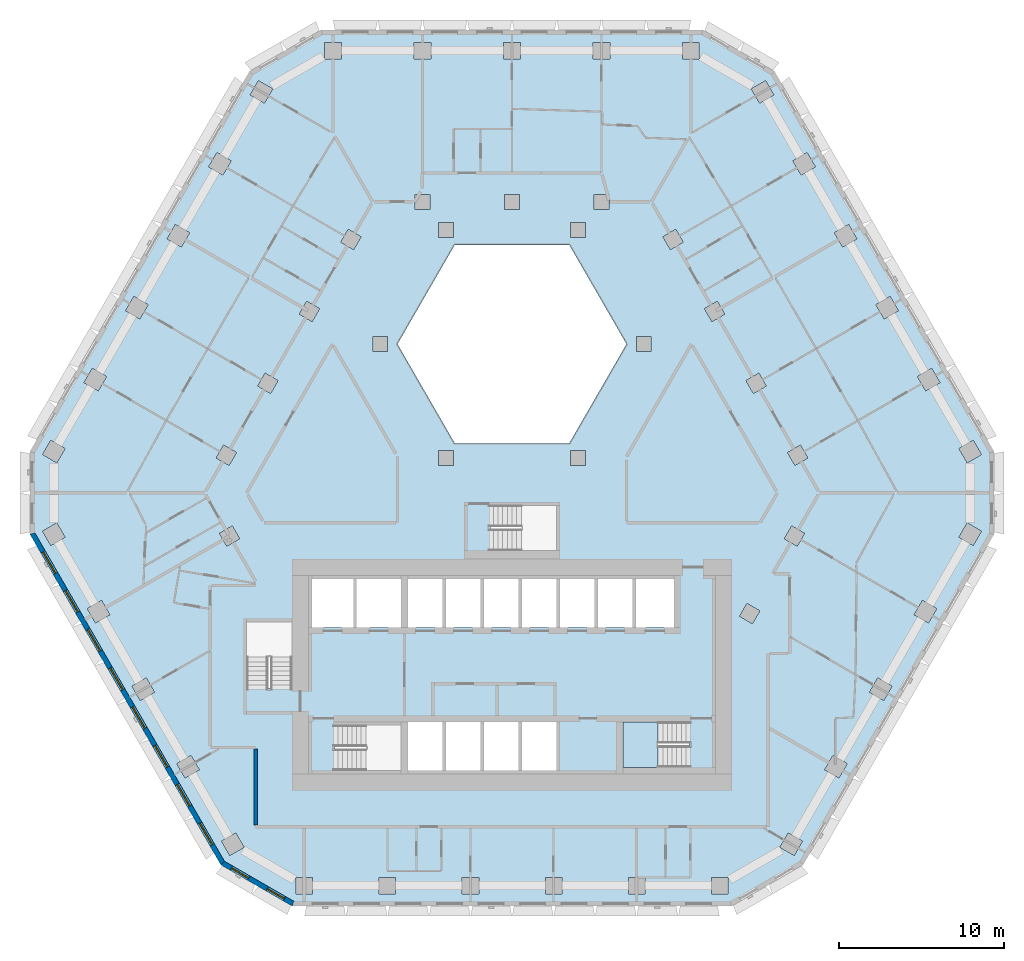
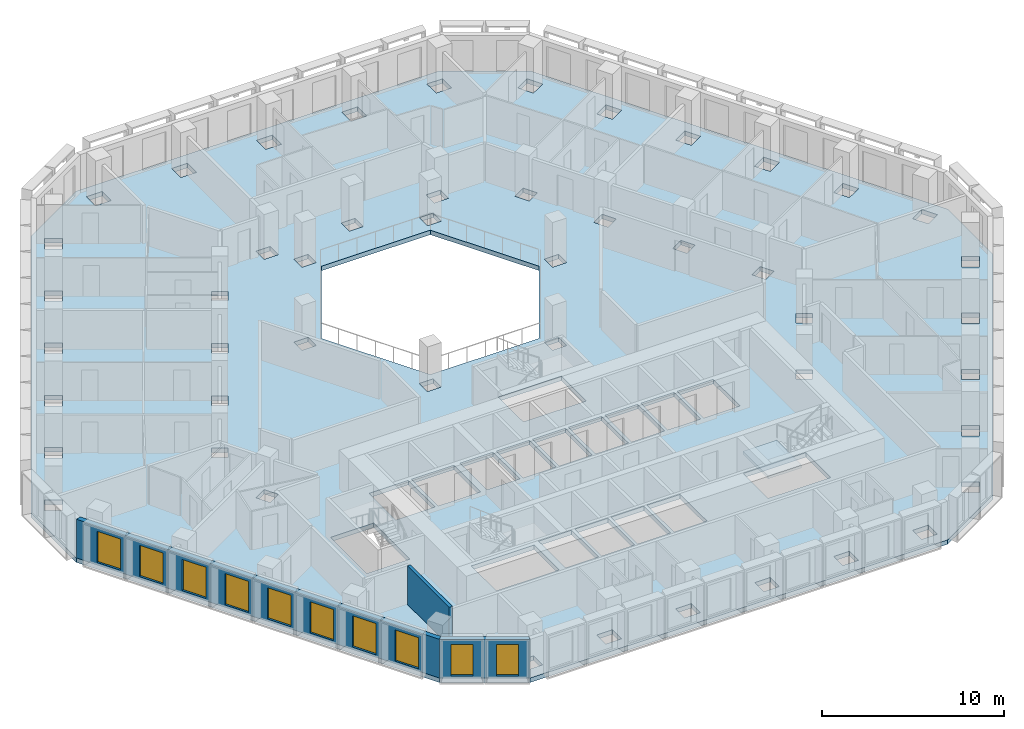
# One storey, part 2 of 18: 10 windows, 3 walls, 2 slabs, 10 openings, 1 element without a shape of its own.
"""IFC4 building model written with IfcOpenShell, lengths in metres."""

from ifc_helpers import new_model, si_unit, direction, frame, frame_2d, origin, place, context, subcontext, project, spatial, polyline, rectangle, outline, extrude, material, layer, layer_set, type_object, element, fill, aggregate, save


model = new_model("IFC4")

# Units and contexts
model_context = context("Model", 3, precision=1e-05, world=origin(), true_north=direction((0.0, 1.0)))
body_context = subcontext(model_context, "Body", "Model", "MODEL_VIEW")
ifc_project = project(units=[si_unit("LENGTHUNIT", "METRE"), si_unit("AREAUNIT", "SQUARE_METRE"), si_unit("VOLUMEUNIT", "CUBIC_METRE"), si_unit("PLANEANGLEUNIT", "RADIAN"), si_unit("MASSUNIT", "GRAM", prefix="KILO")], contexts=[model_context])

# Site, building, storey
site_placement = place(None, origin())
site = spatial("IfcSite", under=ifc_project, at=site_placement, CompositionType="ELEMENT")
building_placement = place(site_placement, origin())
building = spatial("IfcBuilding", under=site, at=building_placement, Name="Beryl Residences", CompositionType="ELEMENT")
storey_placement = place(building_placement, frame((0.0, 0.0, 105.0)))
storey = spatial("IfcBuildingStorey", under=building, at=storey_placement, Name="L32", CompositionType="ELEMENT", Elevation=105.0)

# Slab
ifc_material_1 = material(Name="Concrete C40/50", Category="concrete")
ifc_layer_1 = layer(ifc_material_1, 0.300048828125)
ifc_layer_set_1 = layer_set([ifc_layer_1], Name="SL7 PT floor slab 300 mm C40/50")
slab_type_1 = type_object("IfcSlabType", Name="SL7 PT floor slab 300 mm C40/50", PredefinedType="FLOOR", material=ifc_layer_set_1)
slab_1_placement = place(storey_placement, frame((0.0, 0.0, -0.300048828125)))
element("IfcSlab", 1, at=slab_1_placement, inside=storey, type_object=slab_type_1, Name="L32 slab 1", PredefinedType="FLOOR", context=body_context, shape_type="SweptSolid", body=[
    extrude(outline(polyline([(29.156982421875, -3.5), (17.60888671875, -23.5), (13.279052734375, -26.0), (-13.279052734375, -26.0), (-17.60888671875, -23.5), (-29.156982421875, -3.5), (-29.156982421875, 1.5), (-15.876953125, 24.5), (-11.547119140625, 27.0), (11.547119140625, 27.0), (15.876953125, 24.5), (29.156982421875, 1.5), (29.156982421875, -3.5)]), holes=[polyline([(28.39697265625, 1.31591796875), (27.89697265625, 2.181884765625), (27.031005859375, 1.681884765625), (27.531005859375, 0.81591796875), (28.39697265625, 1.31591796875)]), polyline([(28.39697265625, -3.31591796875), (27.531005859375, -2.81591796875), (27.031005859375, -3.681884765625), (27.89697265625, -4.181884765625), (28.39697265625, -3.31591796875)]), polyline([(25.385009765625, 6.532958984375), (24.51904296875, 6.032958984375), (25.01904296875, 5.1669921875), (25.885009765625, 5.6669921875), (25.385009765625, 6.532958984375)]), polyline([(25.68994140625, -8.00390625), (24.823974609375, -7.50390625), (24.323974609375, -8.3701171875), (25.18994140625, -8.8701171875), (25.68994140625, -8.00390625)]), polyline([(22.873046875, 10.883056640625), (22.007080078125, 10.383056640625), (22.507080078125, 9.51708984375), (23.373046875, 10.01708984375), (22.873046875, 10.883056640625)]), polyline([(22.116943359375, -12.19189453125), (21.616943359375, -13.05810546875), (22.48291015625, -13.55810546875), (22.98291015625, -12.69189453125), (22.116943359375, -12.19189453125)]), polyline([(20.362060546875, 15.23291015625), (19.49609375, 14.73291015625), (19.99609375, 13.866943359375), (20.862060546875, 14.366943359375), (20.362060546875, 15.23291015625)]), polyline([(19.777099609375, -18.24609375), (20.277099609375, -17.3798828125), (19.410888671875, -16.8798828125), (18.910888671875, -17.74609375), (19.777099609375, -18.24609375)]), polyline([(17.85009765625, 19.5830078125), (16.98388671875, 19.0830078125), (17.48388671875, 18.217041015625), (18.35009765625, 18.717041015625), (17.85009765625, 19.5830078125)]), polyline([(17.443115234375, 1.888916015625), (16.6630859375, 1.43896484375), (17.113037109375, 0.658935546875), (17.89306640625, 1.10888671875), (17.443115234375, 1.888916015625)]), polyline([(17.697998046875, -3.447021484375), (16.91796875, -2.9970703125), (16.468017578125, -3.777099609375), (17.248046875, -4.22705078125), (17.697998046875, -3.447021484375)]), polyline([(17.570068359375, -22.068115234375), (16.7041015625, -21.568115234375), (16.2041015625, -22.43408203125), (17.070068359375, -22.93408203125), (17.570068359375, -22.068115234375)]), polyline([(15.839111328125, 23.06689453125), (15.339111328125, 23.93310546875), (14.472900390625, 23.43310546875), (14.972900390625, 22.56689453125), (15.839111328125, 23.06689453125)]), polyline([(14.930908203125, 6.239990234375), (14.15087890625, 5.7900390625), (14.60107421875, 5.010009765625), (15.381103515625, 5.4599609375), (14.930908203125, 6.239990234375)]), polyline([(14.990966796875, -8.135009765625), (14.2109375, -7.68505859375), (13.760986328125, -8.465087890625), (14.541015625, -8.9150390625), (14.990966796875, -8.135009765625)]), polyline([(13.05810546875, -25.25), (13.05810546875, -24.25), (12.05810546875, -24.25), (12.05810546875, -25.25), (13.05810546875, -25.25)]), polyline([(12.419921875, 10.590087890625), (11.639892578125, 10.139892578125), (12.090087890625, 9.360107421875), (12.8701171875, 9.81005859375), (12.419921875, 10.590087890625)]), polyline([(11.324951171875, 26.25), (10.324951171875, 26.25), (10.324951171875, 25.25), (11.324951171875, 25.25), (11.324951171875, 26.25)]), polyline([(10.699951171875, -14.85009765625), (6.699951171875, -14.85009765625), (6.699951171875, -17.60009765625), (10.699951171875, -17.60009765625), (10.699951171875, -14.85009765625)]), polyline([(9.1279296875, 14.489990234375), (9.577880859375, 13.7099609375), (10.35791015625, 14.159912109375), (9.907958984375, 14.93994140625), (9.1279296875, 14.489990234375)]), polyline([(9.800048828125, -6.199951171875), (7.5, -6.199951171875), (7.5, -9.14990234375), (9.800048828125, -9.14990234375), (9.800048828125, -6.199951171875)]), polyline([(8.4169921875, 7.550048828125), (8.4169921875, 8.449951171875), (7.51708984375, 8.449951171875), (7.51708984375, 7.550048828125), (8.4169921875, 7.550048828125)]), polyline([(8.034912109375, -25.25), (8.034912109375, -24.25), (7.034912109375, -24.25), (7.034912109375, -25.25), (8.034912109375, -25.25)]), polyline([(5.199951171875, -6.199951171875), (5.199951171875, -9.14990234375), (7.300048828125, -9.14990234375), (7.300048828125, -6.199951171875), (5.199951171875, -6.199951171875)]), polyline([(3.464111328125, 14.0), (-3.464111328125, 14.0), (-6.92822265625, 8.0), (-3.464111328125, 2.0), (3.464111328125, 2.0), (6.92822265625, 8.0), (3.464111328125, 14.0)]), polyline([(4.912109375, 26.25), (4.912109375, 25.25), (5.912109375, 25.25), (5.912109375, 26.25), (4.912109375, 26.25)]), polyline([(4.9619140625, 17.050048828125), (4.9619140625, 16.14990234375), (5.862060546875, 16.14990234375), (5.862060546875, 17.050048828125), (4.9619140625, 17.050048828125)]), polyline([(2.89990234375, -9.14990234375), (5.0, -9.14990234375), (5.0, -6.199951171875), (2.89990234375, -6.199951171875), (2.89990234375, -9.14990234375)]), polyline([(4.43408203125, 14.449951171875), (4.43408203125, 15.35009765625), (3.533935546875, 15.35009765625), (3.533935546875, 14.449951171875), (4.43408203125, 14.449951171875)]), polyline([(4.43408203125, 0.64990234375), (4.43408203125, 1.550048828125), (3.533935546875, 1.550048828125), (3.533935546875, 0.64990234375), (4.43408203125, 0.64990234375)]), polyline([(2.011962890625, -25.25), (3.011962890625, -25.25), (3.011962890625, -24.25), (2.011962890625, -24.25), (2.011962890625, -25.25)]), polyline([(0.60009765625, -6.199951171875), (0.60009765625, -9.14990234375), (2.699951171875, -9.14990234375), (2.699951171875, -6.199951171875), (0.60009765625, -6.199951171875)]), polyline([(0.60009765625, -17.800048828125), (2.699951171875, -17.800048828125), (2.699951171875, -14.85009765625), (0.60009765625, -14.85009765625), (0.60009765625, -17.800048828125)]), polyline([(-1.300048828125, -1.75), (-1.300048828125, -4.5), (2.699951171875, -4.5), (2.699951171875, -1.75), (-1.300048828125, -1.75)]), polyline([(-0.5009765625, 25.25), (0.4990234375, 25.25), (0.4990234375, 26.25), (-0.5009765625, 26.25), (-0.5009765625, 25.25)]), polyline([(-0.450927734375, 17.050048828125), (-0.450927734375, 16.14990234375), (0.448974609375, 16.14990234375), (0.448974609375, 17.050048828125), (-0.450927734375, 17.050048828125)]), polyline([(-1.699951171875, -9.14990234375), (0.39990234375, -9.14990234375), (0.39990234375, -6.199951171875), (-1.699951171875, -6.199951171875), (-1.699951171875, -9.14990234375)]), polyline([(-1.699951171875, -17.800048828125), (0.39990234375, -17.800048828125), (0.39990234375, -14.85009765625), (-1.699951171875, -14.85009765625), (-1.699951171875, -17.800048828125)]), polyline([(-4.0, -9.14990234375), (-1.89990234375, -9.14990234375), (-1.89990234375, -6.199951171875), (-4.0, -6.199951171875), (-4.0, -9.14990234375)]), polyline([(-4.0, -17.800048828125), (-1.89990234375, -17.800048828125), (-1.89990234375, -14.85009765625), (-4.0, -14.85009765625), (-4.0, -17.800048828125)]), polyline([(-2.010986328125, -25.25), (-2.010986328125, -24.25), (-3.010986328125, -24.25), (-3.010986328125, -25.25), (-2.010986328125, -25.25)]), polyline([(-3.533935546875, 14.449951171875), (-3.533935546875, 15.35009765625), (-4.43408203125, 15.35009765625), (-4.43408203125, 14.449951171875), (-3.533935546875, 14.449951171875)]), polyline([(-3.533935546875, 0.64990234375), (-3.533935546875, 1.550048828125), (-4.43408203125, 1.550048828125), (-4.43408203125, 0.64990234375), (-3.533935546875, 0.64990234375)]), polyline([(-6.300048828125, -17.800048828125), (-4.199951171875, -17.800048828125), (-4.199951171875, -14.85009765625), (-6.300048828125, -14.85009765625), (-6.300048828125, -17.800048828125)]), polyline([(-6.300048828125, -9.14990234375), (-4.199951171875, -9.14990234375), (-4.199951171875, -6.199951171875), (-6.300048828125, -6.199951171875), (-6.300048828125, -9.14990234375)]), polyline([(-5.9140625, 26.25), (-5.9140625, 25.25), (-4.9140625, 25.25), (-4.9140625, 26.25), (-5.9140625, 26.25)]), polyline([(-5.864013671875, 16.14990234375), (-4.964111328125, 16.14990234375), (-4.964111328125, 17.050048828125), (-5.864013671875, 17.050048828125), (-5.864013671875, 16.14990234375)]), polyline([(-6.699951171875, -17.800048828125), (-6.699951171875, -15.050048828125), (-10.699951171875, -15.050048828125), (-10.699951171875, -17.800048828125), (-6.699951171875, -17.800048828125)]), polyline([(-9.39990234375, -9.14990234375), (-6.699951171875, -9.14990234375), (-6.699951171875, -6.199951171875), (-9.39990234375, -6.199951171875), (-9.39990234375, -9.14990234375)]), polyline([(-7.033935546875, -25.25), (-7.033935546875, -24.25), (-8.033935546875, -24.25), (-8.033935546875, -25.25), (-7.033935546875, -25.25)]), polyline([(-8.4169921875, 7.550048828125), (-7.51708984375, 7.550048828125), (-7.51708984375, 8.449951171875), (-8.4169921875, 8.449951171875), (-8.4169921875, 7.550048828125)]), polyline([(-9.577880859375, 13.7099609375), (-9.1279296875, 14.489990234375), (-9.907958984375, 14.93994140625), (-10.35791015625, 14.159912109375), (-9.577880859375, 13.7099609375)]), polyline([(-12.10009765625, -9.14990234375), (-9.60009765625, -9.14990234375), (-9.60009765625, -6.199951171875), (-12.10009765625, -6.199951171875), (-12.10009765625, -9.14990234375)]), polyline([(-11.326904296875, 26.25), (-11.326904296875, 25.25), (-10.326904296875, 25.25), (-10.326904296875, 26.25), (-11.326904296875, 26.25)]), polyline([(-12.868896484375, 9.81005859375), (-12.089111328125, 9.360107421875), (-11.638916015625, 10.139892578125), (-12.4189453125, 10.590087890625), (-12.868896484375, 9.81005859375)]), polyline([(-12.056884765625, -24.25), (-13.056884765625, -24.25), (-13.056884765625, -25.25), (-12.056884765625, -25.25), (-12.056884765625, -24.25)]), polyline([(-13.300048828125, -8.800048828125), (-16.050048828125, -8.800048828125), (-16.050048828125, -12.800048828125), (-13.300048828125, -12.800048828125), (-13.300048828125, -8.800048828125)]), polyline([(-15.381103515625, 5.4599609375), (-14.60107421875, 5.010009765625), (-14.15087890625, 5.7900390625), (-14.930908203125, 6.239990234375), (-15.381103515625, 5.4599609375)]), polyline([(-14.971923828125, 22.568115234375), (-14.471923828125, 23.43408203125), (-15.337890625, 23.93408203125), (-15.837890625, 23.068115234375), (-14.971923828125, 22.568115234375)]), polyline([(-17.070068359375, -22.93408203125), (-16.2041015625, -22.43408203125), (-16.7041015625, -21.568115234375), (-17.570068359375, -22.068115234375), (-17.070068359375, -22.93408203125)]), polyline([(-17.248046875, -4.22705078125), (-16.468017578125, -3.777099609375), (-16.91796875, -2.9970703125), (-17.697998046875, -3.447021484375), (-17.248046875, -4.22705078125)]), polyline([(-17.89208984375, 1.110107421875), (-17.112060546875, 0.659912109375), (-16.662109375, 1.43994140625), (-17.44189453125, 1.889892578125), (-17.89208984375, 1.110107421875)]), polyline([(-18.35009765625, 18.717041015625), (-17.48388671875, 18.217041015625), (-16.98388671875, 19.0830078125), (-17.85009765625, 19.5830078125), (-18.35009765625, 18.717041015625)]), polyline([(-19.777099609375, -18.24609375), (-18.910888671875, -17.74609375), (-19.410888671875, -16.8798828125), (-20.277099609375, -17.3798828125), (-19.777099609375, -18.24609375)]), polyline([(-20.861083984375, 14.366943359375), (-19.9951171875, 13.866943359375), (-19.4951171875, 14.73291015625), (-20.361083984375, 15.23291015625), (-20.861083984375, 14.366943359375)]), polyline([(-21.616943359375, -13.05810546875), (-22.116943359375, -12.19189453125), (-22.98291015625, -12.69189453125), (-22.48291015625, -13.55810546875), (-21.616943359375, -13.05810546875)]), polyline([(-23.373046875, 10.01708984375), (-22.507080078125, 9.51708984375), (-22.007080078125, 10.383056640625), (-22.873046875, 10.883056640625), (-23.373046875, 10.01708984375)]), polyline([(-25.18994140625, -8.8701171875), (-24.323974609375, -8.3701171875), (-24.823974609375, -7.50390625), (-25.68994140625, -8.00390625), (-25.18994140625, -8.8701171875)]), polyline([(-25.385009765625, 6.532958984375), (-25.885009765625, 5.6669921875), (-25.01904296875, 5.1669921875), (-24.51904296875, 6.032958984375), (-25.385009765625, 6.532958984375)]), polyline([(-28.39599609375, 1.31689453125), (-27.530029296875, 0.81689453125), (-27.030029296875, 1.68310546875), (-27.89599609375, 2.18310546875), (-28.39599609375, 1.31689453125)]), polyline([(-27.031005859375, -3.681884765625), (-27.531005859375, -2.81591796875), (-28.39697265625, -3.31591796875), (-27.89697265625, -4.181884765625), (-27.031005859375, -3.681884765625)])]), origin(), (0.0, 0.0, 1.0), 0.300048828125),
])

# Stair, slab
ifc_material_2 = material(Name="Concrete C40/50", Category="concrete")
stair_type = type_object("IfcStairType", Name="ST1 protected exit stair, half-turn, 1300 mm flights", PredefinedType="HALF_TURN_STAIR", material=ifc_material_2)
stair_placement = place(storey_placement, origin())
stair = element("IfcStair", 2, at=stair_placement, inside=storey, type_object=stair_type, Name="L32 PROTECTED EXIT STAIR ST-3", PredefinedType="HALF_TURN_STAIR")
ifc_material_3 = material(Name="Concrete C40/50", Category="concrete")
ifc_layer_2 = layer(ifc_material_3, 0.199951171875)
ifc_layer_set_2 = layer_set([ifc_layer_2], Name="SLD1 stair landing 200 mm")
slab_type_2 = type_object("IfcSlabType", Name="SLD1 stair landing 200 mm", PredefinedType="LANDING", material=ifc_layer_set_2)
slab_2_placement = place(storey_placement, frame((0.0, 0.0, 1.300048828125)))
slab_2 = element("IfcSlab", 3, at=slab_2_placement, type_object=slab_type_2, Name="ST-3 landing 1", PredefinedType="LANDING", context=body_context, shape_type="SweptSolid", body=[
    extrude(outline(polyline([(8.840087890625, -14.85009765625), (6.699951171875, -14.85009765625), (6.699951171875, -17.60009765625), (8.840087890625, -17.60009765625), (8.840087890625, -14.85009765625)])), origin(), (0.0, 0.0, 1.0), 0.199951171875),
])
aggregate(stair, [slab_2])

# Wall, openings, windows
ifc_material_4 = material(Name="Composite metal panel with mineral wool insulation")
ifc_layer_3 = layer(ifc_material_4, 0.300048828125)
ifc_layer_set_3 = layer_set([ifc_layer_3], Name="ES1 pale metal composite panel wall 300 mm")
wall_type_1 = type_object("IfcWallType", Name="ES1 pale metal composite panel wall 300 mm", PredefinedType="SOLIDWALL", material=ifc_layer_set_3)
wall_1_placement = place(storey_placement, frame((-29.027099609375, -3.425048828125, 0.0), z_axis=(0.0, 0.0, 1.0), x_axis=(0.500035407905, -0.866004960056, 0.0)))
wall_1 = element("IfcWall", 4, at=wall_1_placement, inside=storey, type_object=wall_type_1, Name="ES1 external wall L32 SW", PredefinedType="SOLIDWALL", context=body_context, shape_type="SweptSolid", body=[
    extrude(outline(polyline([(0.0, -0.14990234375), (23.094482421875, -0.14990234375), (23.01416015625, 0.14990234375), (0.080322265625, 0.14990234375), (0.0, -0.14990234375)])), origin(), (0.0, 0.0, 1.0), 2.60009765625),
])
opening_1_placement = place(wall_1_placement, frame((1.323974609375, 0.0, 0.14990234375)))
opening_1 = element("IfcOpeningElement", 5, at=opening_1_placement, cuts=wall_1, Name="Opening W1", PredefinedType="OPENING", context=body_context, shape_type="SweptSolid", body=[
    extrude(rectangle(XDim=1.5, YDim=2.10009765625, at=frame_2d((0.75, 1.050048828125))), frame((0.0, 0.159912109375, 0.0), z_axis=(0.0, -1.0, 0.0), x_axis=(1.0, 0.0, 0.0)), (0.0, 0.0, 1.0), 0.320068359375),
])
opening_2_placement = place(wall_1_placement, frame((4.031005859375, 0.0, 0.14990234375)))
opening_2 = element("IfcOpeningElement", 6, at=opening_2_placement, cuts=wall_1, Name="Opening W1", PredefinedType="OPENING", context=body_context, shape_type="SweptSolid", body=[
    extrude(rectangle(XDim=1.5, YDim=2.10009765625, at=frame_2d((0.75, 1.050048828125))), frame((0.0, 0.159912109375, 0.0), z_axis=(0.0, -1.0, 0.0), x_axis=(1.0, 0.0, 0.0)), (0.0, 0.0, 1.0), 0.320068359375),
])
opening_3_placement = place(wall_1_placement, frame((6.737060546875, 0.0, 0.14990234375)))
opening_3 = element("IfcOpeningElement", 7, at=opening_3_placement, cuts=wall_1, Name="Opening W1", PredefinedType="OPENING", context=body_context, shape_type="SweptSolid", body=[
    extrude(rectangle(XDim=1.5, YDim=2.10009765625, at=frame_2d((0.75, 1.050048828125))), frame((0.0, 0.159912109375, 0.0), z_axis=(0.0, -1.0, 0.0), x_axis=(1.0, 0.0, 0.0)), (0.0, 0.0, 1.0), 0.320068359375),
])
opening_4_placement = place(wall_1_placement, frame((9.444091796875, 0.0, 0.14990234375)))
opening_4 = element("IfcOpeningElement", 8, at=opening_4_placement, cuts=wall_1, Name="Opening W1", PredefinedType="OPENING", context=body_context, shape_type="SweptSolid", body=[
    extrude(rectangle(XDim=1.5, YDim=2.10009765625, at=frame_2d((0.75, 1.050048828125))), frame((0.0, 0.159912109375, 0.0), z_axis=(0.0, -1.0, 0.0), x_axis=(1.0, 0.0, 0.0)), (0.0, 0.0, 1.0), 0.320068359375),
])
opening_5_placement = place(wall_1_placement, frame((12.15087890625, 0.0, 0.14990234375)))
opening_5 = element("IfcOpeningElement", 9, at=opening_5_placement, cuts=wall_1, Name="Opening W1", PredefinedType="OPENING", context=body_context, shape_type="SweptSolid", body=[
    extrude(rectangle(XDim=1.5, YDim=2.10009765625, at=frame_2d((0.75, 1.050048828125))), frame((0.0, 0.159912109375, 0.0), z_axis=(0.0, -1.0, 0.0), x_axis=(1.0, 0.0, 0.0)), (0.0, 0.0, 1.0), 0.320068359375),
])
opening_6_placement = place(wall_1_placement, frame((14.85693359375, 0.0, 0.14990234375)))
opening_6 = element("IfcOpeningElement", 10, at=opening_6_placement, cuts=wall_1, Name="Opening W1", PredefinedType="OPENING", context=body_context, shape_type="SweptSolid", body=[
    extrude(rectangle(XDim=1.5, YDim=2.10009765625, at=frame_2d((0.75, 1.050048828125))), frame((0.0, 0.159912109375, 0.0), z_axis=(0.0, -1.0, 0.0), x_axis=(1.0, 0.0, 0.0)), (0.0, 0.0, 1.0), 0.320068359375),
])
opening_7_placement = place(wall_1_placement, frame((17.56396484375, 0.0, 0.14990234375)))
opening_7 = element("IfcOpeningElement", 11, at=opening_7_placement, cuts=wall_1, Name="Opening W1", PredefinedType="OPENING", context=body_context, shape_type="SweptSolid", body=[
    extrude(rectangle(XDim=1.5, YDim=2.10009765625, at=frame_2d((0.75, 1.050048828125))), frame((0.0, 0.159912109375, 0.0), z_axis=(0.0, -1.0, 0.0), x_axis=(1.0, 0.0, 0.0)), (0.0, 0.0, 1.0), 0.320068359375),
])
opening_8_placement = place(wall_1_placement, frame((20.27001953125, 0.0, 0.14990234375)))
opening_8 = element("IfcOpeningElement", 12, at=opening_8_placement, cuts=wall_1, Name="Opening W1", PredefinedType="OPENING", context=body_context, shape_type="SweptSolid", body=[
    extrude(rectangle(XDim=1.5, YDim=2.10009765625, at=frame_2d((0.75, 1.050048828125))), frame((0.0, 0.159912109375, 0.0), z_axis=(0.0, -1.0, 0.0), x_axis=(1.0, 0.0, 0.0)), (0.0, 0.0, 1.0), 0.320068359375),
])
ifc_material_5 = material(Name="Aluminium and clear glass", Category="aluminium")
window_type_1 = type_object("IfcWindowType", Name="W1 cell window 1500 x 2100 mm", PartitioningType="SINGLE_PANEL", PredefinedType="WINDOW", material=ifc_material_5)
window_1_placement = place(opening_1_placement, origin())
window_1 = element("IfcWindow", 13, at=window_1_placement, inside=storey, type_object=window_type_1, Name="W1 window L32 SW 1", OverallHeight=2.10009765625, OverallWidth=1.5, PartitioningType="SINGLE_PANEL", PredefinedType="WINDOW", context=body_context, shape_type="SweptSolid", body=[
    extrude(rectangle(XDim=1.5, YDim=2.10009765625, at=frame_2d((0.75, 1.050048828125))), frame((0.0, 0.030029296875, 0.0), z_axis=(0.0, -1.0, 0.0), x_axis=(1.0, 0.0, 0.0)), (0.0, 0.0, 1.0), 0.06005859375),
])
fill(opening_1, window_1)
window_2_placement = place(opening_2_placement, origin())
window_2 = element("IfcWindow", 14, at=window_2_placement, inside=storey, type_object=window_type_1, Name="W1 window L32 SW 2", OverallHeight=2.10009765625, OverallWidth=1.5, PartitioningType="SINGLE_PANEL", PredefinedType="WINDOW", context=body_context, shape_type="SweptSolid", body=[
    extrude(rectangle(XDim=1.5, YDim=2.10009765625, at=frame_2d((0.75, 1.050048828125))), frame((0.0, 0.030029296875, 0.0), z_axis=(0.0, -1.0, 0.0), x_axis=(1.0, 0.0, 0.0)), (0.0, 0.0, 1.0), 0.06005859375),
])
fill(opening_2, window_2)
window_3_placement = place(opening_3_placement, origin())
window_3 = element("IfcWindow", 15, at=window_3_placement, inside=storey, type_object=window_type_1, Name="W1 window L32 SW 3", OverallHeight=2.10009765625, OverallWidth=1.5, PartitioningType="SINGLE_PANEL", PredefinedType="WINDOW", context=body_context, shape_type="SweptSolid", body=[
    extrude(rectangle(XDim=1.5, YDim=2.10009765625, at=frame_2d((0.75, 1.050048828125))), frame((0.0, 0.030029296875, 0.0), z_axis=(0.0, -1.0, 0.0), x_axis=(1.0, 0.0, 0.0)), (0.0, 0.0, 1.0), 0.06005859375),
])
fill(opening_3, window_3)
window_4_placement = place(opening_4_placement, origin())
window_4 = element("IfcWindow", 16, at=window_4_placement, inside=storey, type_object=window_type_1, Name="W1 window L32 SW 4", OverallHeight=2.10009765625, OverallWidth=1.5, PartitioningType="SINGLE_PANEL", PredefinedType="WINDOW", context=body_context, shape_type="SweptSolid", body=[
    extrude(rectangle(XDim=1.5, YDim=2.10009765625, at=frame_2d((0.75, 1.050048828125))), frame((0.0, 0.030029296875, 0.0), z_axis=(0.0, -1.0, 0.0), x_axis=(1.0, 0.0, 0.0)), (0.0, 0.0, 1.0), 0.06005859375),
])
fill(opening_4, window_4)
window_5_placement = place(opening_5_placement, origin())
window_5 = element("IfcWindow", 17, at=window_5_placement, inside=storey, type_object=window_type_1, Name="W1 window L32 SW 5", OverallHeight=2.10009765625, OverallWidth=1.5, PartitioningType="SINGLE_PANEL", PredefinedType="WINDOW", context=body_context, shape_type="SweptSolid", body=[
    extrude(rectangle(XDim=1.5, YDim=2.10009765625, at=frame_2d((0.75, 1.050048828125))), frame((0.0, 0.030029296875, 0.0), z_axis=(0.0, -1.0, 0.0), x_axis=(1.0, 0.0, 0.0)), (0.0, 0.0, 1.0), 0.06005859375),
])
fill(opening_5, window_5)
window_6_placement = place(opening_6_placement, origin())
window_6 = element("IfcWindow", 18, at=window_6_placement, inside=storey, type_object=window_type_1, Name="W1 window L32 SW 6", OverallHeight=2.10009765625, OverallWidth=1.5, PartitioningType="SINGLE_PANEL", PredefinedType="WINDOW", context=body_context, shape_type="SweptSolid", body=[
    extrude(rectangle(XDim=1.5, YDim=2.10009765625, at=frame_2d((0.75, 1.050048828125))), frame((0.0, 0.030029296875, 0.0), z_axis=(0.0, -1.0, 0.0), x_axis=(1.0, 0.0, 0.0)), (0.0, 0.0, 1.0), 0.06005859375),
])
fill(opening_6, window_6)
window_7_placement = place(opening_7_placement, origin())
window_7 = element("IfcWindow", 19, at=window_7_placement, inside=storey, type_object=window_type_1, Name="W1 window L32 SW 7", OverallHeight=2.10009765625, OverallWidth=1.5, PartitioningType="SINGLE_PANEL", PredefinedType="WINDOW", context=body_context, shape_type="SweptSolid", body=[
    extrude(rectangle(XDim=1.5, YDim=2.10009765625, at=frame_2d((0.75, 1.050048828125))), frame((0.0, 0.030029296875, 0.0), z_axis=(0.0, -1.0, 0.0), x_axis=(1.0, 0.0, 0.0)), (0.0, 0.0, 1.0), 0.06005859375),
])
fill(opening_7, window_7)
window_8_placement = place(opening_8_placement, origin())
window_8 = element("IfcWindow", 20, at=window_8_placement, inside=storey, type_object=window_type_1, Name="W1 window L32 SW 8", OverallHeight=2.10009765625, OverallWidth=1.5, PartitioningType="SINGLE_PANEL", PredefinedType="WINDOW", context=body_context, shape_type="SweptSolid", body=[
    extrude(rectangle(XDim=1.5, YDim=2.10009765625, at=frame_2d((0.75, 1.050048828125))), frame((0.0, 0.030029296875, 0.0), z_axis=(0.0, -1.0, 0.0), x_axis=(1.0, 0.0, 0.0)), (0.0, 0.0, 1.0), 0.06005859375),
])
fill(opening_8, window_8)

wall_2_placement = place(storey_placement, frame((-17.533935546875, -23.3701171875, 0.0), z_axis=(0.0, 0.0, 1.0), x_axis=(0.866010750942, -0.50002537861, 0.0)))
wall_2 = element("IfcWall", 21, at=wall_2_placement, inside=storey, type_object=wall_type_1, Name="ES1 external wall L32 SW-S", PredefinedType="SOLIDWALL", context=body_context, shape_type="SweptSolid", body=[
    extrude(outline(polyline([(0.0, -0.14990234375), (4.999755859375, -0.14990234375), (4.91943359375, 0.14990234375), (0.080322265625, 0.14990234375), (0.0, -0.14990234375)])), origin(), (0.0, 0.0, 1.0), 2.60009765625),
])
opening_9_placement = place(wall_2_placement, frame((0.64990234375, 0.0, 0.14990234375)))
opening_9 = element("IfcOpeningElement", 22, at=opening_9_placement, cuts=wall_2, Name="Opening W2", PredefinedType="OPENING", context=body_context, shape_type="SweptSolid", body=[
    extrude(rectangle(XDim=1.199951171875, YDim=2.10009765625, at=frame_2d((0.60009765625, 1.050048828125))), frame((0.0, 0.159912109375, 0.0), z_axis=(0.0, -1.0, 0.0), x_axis=(1.0, 0.0, 0.0)), (0.0, 0.0, 1.0), 0.320068359375),
])
opening_10_placement = place(wall_2_placement, frame((3.14990234375, 0.0, 0.14990234375)))
opening_10 = element("IfcOpeningElement", 23, at=opening_10_placement, cuts=wall_2, Name="Opening W2", PredefinedType="OPENING", context=body_context, shape_type="SweptSolid", body=[
    extrude(rectangle(XDim=1.199951171875, YDim=2.10009765625, at=frame_2d((0.60009765625, 1.050048828125))), frame((0.0, 0.159912109375, 0.0), z_axis=(0.0, -1.0, 0.0), x_axis=(1.0, 0.0, 0.0)), (0.0, 0.0, 1.0), 0.320068359375),
])
ifc_material_6 = material(Name="Aluminium and clear glass", Category="aluminium")
window_type_2 = type_object("IfcWindowType", Name="W2 chamfer window 1200 x 2100 mm", PartitioningType="SINGLE_PANEL", PredefinedType="WINDOW", material=ifc_material_6)
window_9_placement = place(opening_9_placement, origin())
window_9 = element("IfcWindow", 24, at=window_9_placement, inside=storey, type_object=window_type_2, Name="W2 window L32 SW-S 1", OverallHeight=2.10009765625, OverallWidth=1.199951171875, PartitioningType="SINGLE_PANEL", PredefinedType="WINDOW", context=body_context, shape_type="SweptSolid", body=[
    extrude(rectangle(XDim=1.199951171875, YDim=2.10009765625, at=frame_2d((0.60009765625, 1.050048828125))), frame((0.0, 0.030029296875, 0.0), z_axis=(0.0, -1.0, 0.0), x_axis=(1.0, 0.0, 0.0)), (0.0, 0.0, 1.0), 0.06005859375),
])
fill(opening_9, window_9)
window_10_placement = place(opening_10_placement, origin())
window_10 = element("IfcWindow", 25, at=window_10_placement, inside=storey, type_object=window_type_2, Name="W2 window L32 SW-S 2", OverallHeight=2.10009765625, OverallWidth=1.199951171875, PartitioningType="SINGLE_PANEL", PredefinedType="WINDOW", context=body_context, shape_type="SweptSolid", body=[
    extrude(rectangle(XDim=1.199951171875, YDim=2.10009765625, at=frame_2d((0.60009765625, 1.050048828125))), frame((0.0, 0.030029296875, 0.0), z_axis=(0.0, -1.0, 0.0), x_axis=(1.0, 0.0, 0.0)), (0.0, 0.0, 1.0), 0.06005859375),
])
fill(opening_10, window_10)

# Wall
ifc_material_7 = material(Name="Double stud gypsum board wall")
ifc_layer_4 = layer(ifc_material_7, 0.199951171875)
ifc_layer_set_4 = layer_set([ifc_layer_4], Name="PT4 corridor wall 200 mm double stud")
wall_type_2 = type_object("IfcWallType", Name="PT4 corridor wall 200 mm double stud", PredefinedType="PARTITIONING", material=ifc_layer_set_4)
wall_3_placement = place(storey_placement, frame((-15.5, -16.5009765625, 0.0), z_axis=(0.0, 0.0, 1.0), x_axis=(0.0, -1.0, 0.0)))
element("IfcWall", 26, at=wall_3_placement, inside=storey, type_object=wall_type_2, Name="Wall PT4 L32 008", PredefinedType="PARTITIONING", context=body_context, shape_type="SweptSolid", body=[
    extrude(rectangle(XDim=4.59814453125, YDim=0.199951171875, at=frame_2d((2.299072265625, 0.0))), origin(), (0.0, 0.0, 1.0), 2.60009765625),
])

save(model, "model.ifc")
